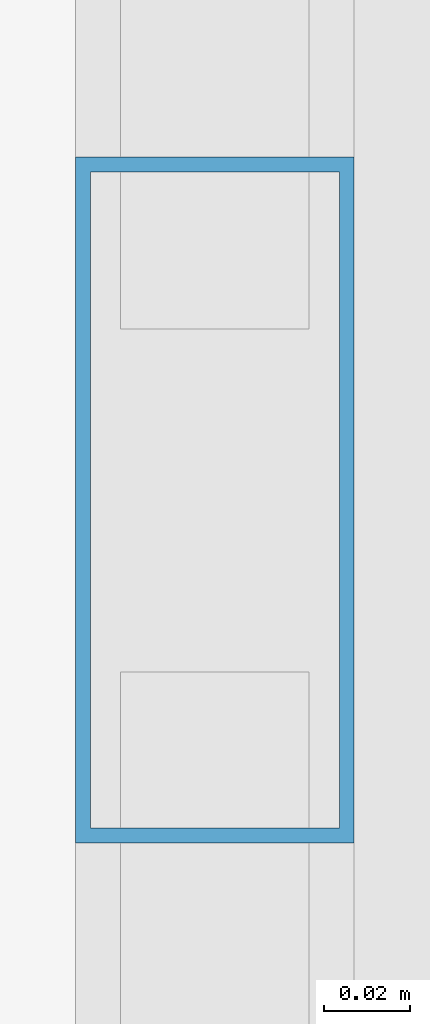
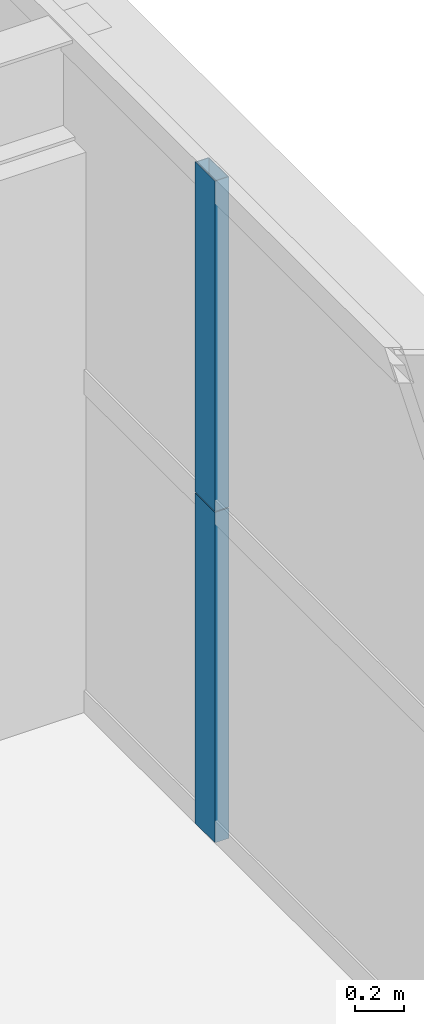
# One storey, part 24 of 45: 2 members, 1 element without a shape of its own.
"""IFC4 building model written with IfcOpenShell, lengths in metres."""

from ifc_helpers import new_model, si_unit, direction, frame, origin, origin_2d, place, context, subcontext, project, spatial, hollow_rectangle, extrude, source, transform, mapped, material, layer, layer_set, material_profile, profile_set, type_object, element, aggregate, save


model = new_model("IFC4")

# Units and contexts
model_context = context("Model", 3, precision=1e-05, world=origin(), true_north=direction((0.0, 1.0)))
body_context = subcontext(model_context, "Body", "Model", "MODEL_VIEW")
ifc_project = project(units=[si_unit("LENGTHUNIT", "METRE"), si_unit("AREAUNIT", "SQUARE_METRE"), si_unit("VOLUMEUNIT", "CUBIC_METRE"), si_unit("PLANEANGLEUNIT", "RADIAN"), si_unit("MASSUNIT", "GRAM", prefix="KILO"), si_unit("THERMODYNAMICTEMPERATUREUNIT", "KELVIN"), si_unit("POWERUNIT", "WATT")], contexts=[model_context])

# Site, building, storey
site_placement = place(None, origin())
site = spatial("IfcSite", under=ifc_project, at=site_placement, CompositionType="ELEMENT")
building_placement = place(site_placement, origin())
building = spatial("IfcBuilding", under=site, at=building_placement, Name="Yuzanri Waterfront Tower", CompositionType="ELEMENT")
storey_placement = place(building_placement, frame((0.0, 0.0, 198.5)))
storey = spatial("IfcBuildingStorey", under=building, at=storey_placement, Name="L52", CompositionType="ELEMENT", Elevation=198.5)

# Curtain wall, members
ifc_material_1 = material(Name="Anodized Architectural Bronze", Category="metal")
ifc_layer = layer(ifc_material_1, 0.159912109375)
ifc_layer_set = layer_set([ifc_layer], Name="Anodized Architectural Bronze")
curtain_wall_type = type_object("IfcCurtainWallType", Name="Anodized Bronze Mid-Rise Residential Acoustic Unitized Curtain Wall 7200", PredefinedType="NOTDEFINED", material=ifc_layer_set)
curtain_wall_placement = place(storey_placement, origin())
curtain_wall = element("IfcCurtainWall", 1, at=curtain_wall_placement, inside=storey, type_object=curtain_wall_type, Name="L52 Curtain Wall CW-L52-EL", PredefinedType="NOTDEFINED")
ifc_material_2 = material(Name="Anodized Architectural Bronze", Category="metal")
ifc_material_profile = material_profile(ifc_material_2, hollow_rectangle(XDim=0.06494140625, YDim=0.159912109375, WallThickness=0.00341796875, at=origin_2d()), Name="CWM 65x160")
ifc_profile_set = profile_set([ifc_material_profile], Name="Anodized Architectural Bronze")
member_type = type_object("IfcMemberType", Name="Anodized Bronze Upper-Zone Curtain-Wall Mullion 65x160", PredefinedType="MULLION", material=ifc_profile_set)
shared_shape = source(origin(), body_context, "Body", "SweptSolid", [
    extrude(hollow_rectangle(XDim=0.06494140625, YDim=0.159912109375, WallThickness=0.00341796875, at=origin_2d()), origin(), (0.0, 0.0, 1.0), 1.637939453125),
])
member_1_placement = place(storey_placement, frame((58.949951171875, 18.22509765625, 0.0), z_axis=(0.0, 0.0, 1.0), x_axis=(1.0, 0.0, 0.0)))
member_1 = element("IfcMember", 2, at=member_1_placement, type_object=member_type, Name="CW-L52-EL Lower Mullion 01", PredefinedType="MULLION", context=body_context, shape_type="MappedRepresentation", body=[
    mapped(shared_shape, transform((0.0, 0.0, 0.0), scale=1.0)),
])
member_2_placement = place(storey_placement, frame((58.949951171875, 18.22509765625, 1.64208984375), z_axis=(0.0, 0.0, 1.0), x_axis=(1.0, 0.0, 0.0)))
member_2 = element("IfcMember", 3, at=member_2_placement, type_object=member_type, Name="CW-L52-EL Upper Mullion 01", PredefinedType="MULLION", context=body_context, shape_type="MappedRepresentation", body=[
    mapped(shared_shape, transform((0.0, 0.0, 0.0), scale=1.0)),
])
aggregate(curtain_wall, [member_1, member_2])

save(model, "model.ifc")
